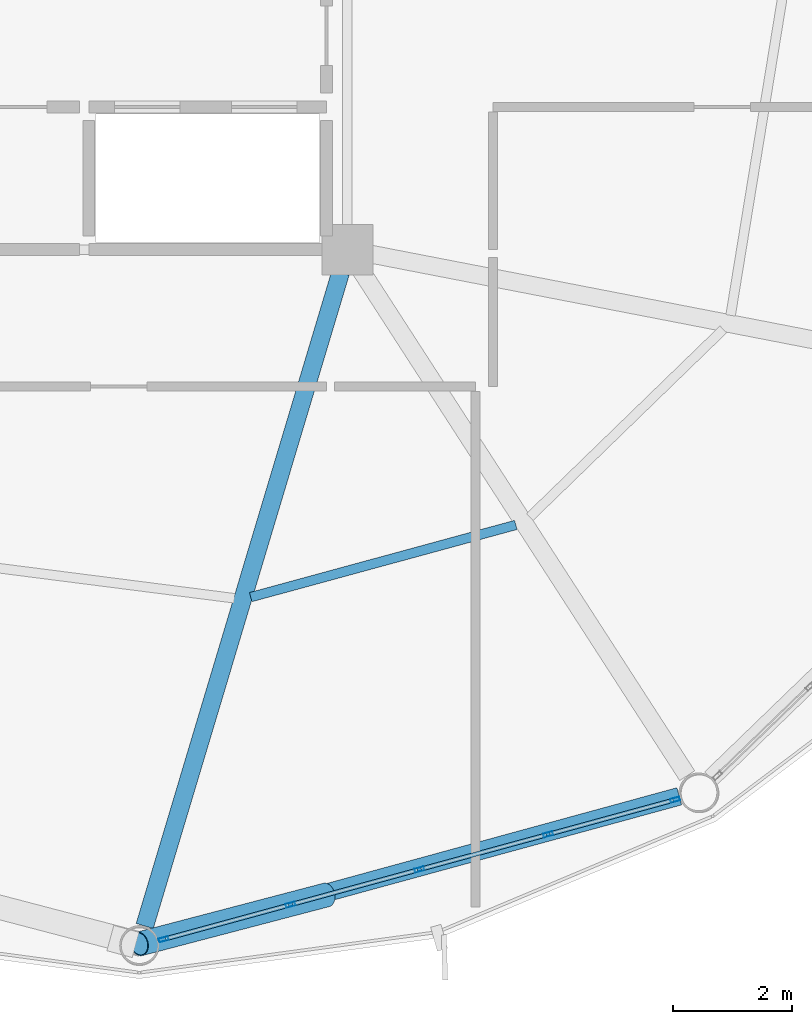
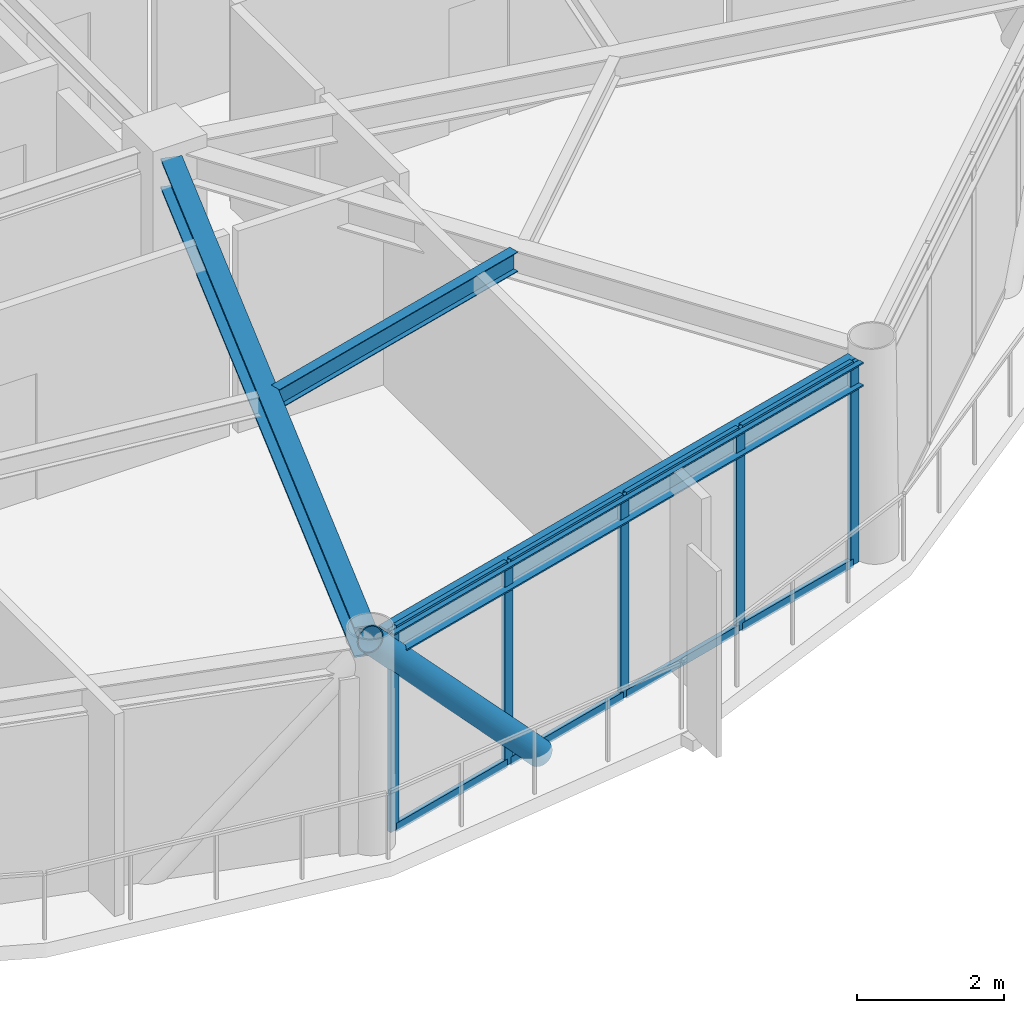
# One storey, part 7 of 26: 14 members, 3 beams, 1 element without a shape of its own.
"""IFC4 building model written with IfcOpenShell, lengths in metres."""

from ifc_helpers import new_model, si_unit, direction, frame, origin, origin_2d, place, context, subcontext, project, spatial, hollow_rectangle, hollow_circle, i_section, extrude, material, layer, layer_set, material_profile, profile_set, type_object, element, aggregate, save


model = new_model("IFC4")

# Units and contexts
model_context = context("Model", 3, precision=1e-05, world=origin(), true_north=direction((0.0, 1.0)))
body_context = subcontext(model_context, "Body", "Model", "MODEL_VIEW")
ifc_project = project(units=[si_unit("LENGTHUNIT", "METRE"), si_unit("AREAUNIT", "SQUARE_METRE"), si_unit("VOLUMEUNIT", "CUBIC_METRE"), si_unit("PLANEANGLEUNIT", "RADIAN"), si_unit("MASSUNIT", "GRAM", prefix="KILO")], contexts=[model_context])

# Site, building, storey
site_placement = place(None, origin())
site = spatial("IfcSite", under=ifc_project, at=site_placement, CompositionType="ELEMENT")
building_placement = place(site_placement, origin())
building = spatial("IfcBuilding", under=site, at=building_placement, Name="Varnakorn Sky Granary", CompositionType="ELEMENT")
storey_placement = place(building_placement, frame((0.0, 0.0, 222.0)))
storey = spatial("IfcBuildingStorey", under=building, at=storey_placement, Name="L56", CompositionType="ELEMENT", Elevation=222.0)

# Beams
ifc_material_1 = material(Name="Steel S355JR", Category="steel")
ifc_material_profile_1 = material_profile(ifc_material_1, i_section(OverallWidth=0.300048828125, OverallDepth=0.5, WebThickness=0.014404296875, FlangeThickness=0.028076171875, at=origin_2d()), Name="HE 500 B")
ifc_profile_set_1 = profile_set([ifc_material_profile_1], Name="Steel S355JR")
beam_type_1 = type_object("IfcBeamType", Name="BM-RAD-Z4", PredefinedType="BEAM", material=ifc_profile_set_1)
beam_1_placement = place(storey_placement, frame((8.233642578125, -6.98779296875, 3.110107421875), z_axis=(-0.287127206293, -0.957892461295, 0.0), x_axis=(0.957892461295, -0.287127206293, 0.0)))
element("IfcBeam", 1, at=beam_1_placement, inside=storey, type_object=beam_type_1, Name="Radial Floor Girder RG10 L56", PredefinedType="BEAM", context=body_context, shape_type="SweptSolid", body=[
    extrude(i_section(OverallWidth=0.300048828125, OverallDepth=0.5, WebThickness=0.014404296875, FlangeThickness=0.028076171875, at=origin_2d()), origin(), (0.0, 0.0, 1.0), 11.469482421875),
])
ifc_material_profile_2 = material_profile(ifc_material_1, i_section(OverallWidth=0.159912109375, OverallDepth=0.330078125, WebThickness=0.007568359375, FlangeThickness=0.011474609375, at=origin_2d()), Name="IPE 330")
ifc_profile_set_2 = profile_set([ifc_material_profile_2], Name="Steel S355JR")
beam_type_2 = type_object("IfcBeamType", Name="BM-SEC-Z4", PredefinedType="BEAM", material=ifc_profile_set_2)
beam_2_placement = place(storey_placement, frame((6.72216796875, -12.4443359375, 3.195068359375), z_axis=(0.964858849447, 0.262768720825, 0.0), x_axis=(-0.262768720825, 0.964858849447, 0.0)))
element("IfcBeam", 2, at=beam_2_placement, inside=storey, type_object=beam_type_2, Name="Secondary Floor Chord Beam MSB10 L56", PredefinedType="BEAM", context=body_context, shape_type="SweptSolid", body=[
    extrude(i_section(OverallWidth=0.159912109375, OverallDepth=0.330078125, WebThickness=0.007568359375, FlangeThickness=0.011474609375, at=origin_2d()), origin(), (0.0, 0.0, 1.0), 4.621337890625),
])
ifc_material_profile_3 = material_profile(ifc_material_1, i_section(OverallWidth=0.300048828125, OverallDepth=0.39990234375, WebThickness=0.013427734375, FlangeThickness=0.02392578125, at=origin_2d()), Name="HE 400 B")
ifc_profile_set_3 = profile_set([ifc_material_profile_3], Name="Steel S355JR")
beam_type_3 = type_object("IfcBeamType", Name="BM-SPD-Z4", PredefinedType="SPANDREL", material=ifc_profile_set_3)
beam_3_placement = place(storey_placement, frame((5.15380859375, -18.19287109375, 3.159912109375), z_axis=(0.964603252537, 0.263705451585, 0.0), x_axis=(-0.263705451585, 0.964603252537, 0.0)))
element("IfcBeam", 3, at=beam_3_placement, inside=storey, type_object=beam_type_3, Name="Perimeter Spandrel Ring Beam RB10 L56", PredefinedType="SPANDREL", context=body_context, shape_type="SweptSolid", body=[
    extrude(i_section(OverallWidth=0.300048828125, OverallDepth=0.39990234375, WebThickness=0.013427734375, FlangeThickness=0.02392578125, at=origin_2d()), origin(), (0.0, 0.0, 1.0), 9.097900390625),
])

# Curtain wall, members
ifc_material_2 = material(Name="Anodised Bronze Aluminium Alloy 6063-T6", Category="aluminium")
ifc_layer = layer(ifc_material_2, 0.169921875, Name="Anodised Bronze Aluminium Alloy 6063-T6")
ifc_layer_set = layer_set([ifc_layer], Name="Anodised Bronze Aluminium Alloy 6063-T6")
curtain_wall_type = type_object("IfcCurtainWallType", Name="CW-LAB-1", PredefinedType="USERDEFINED", material=ifc_layer_set)
curtain_wall_placement = place(storey_placement, origin())
curtain_wall = element("IfcCurtainWall", 4, at=curtain_wall_placement, inside=storey, type_object=curtain_wall_type, Name="Unitised Curtain Wall CW5 CW-L56-B10", ObjectType="CURTAIN WALL", PredefinedType="USERDEFINED")
ifc_material_profile_4 = material_profile(ifc_material_2, hollow_rectangle(XDim=0.06494140625, YDim=0.159912109375, WallThickness=0.00341796875, at=origin_2d()), Name="ALU MULL 65x160")
ifc_profile_set_4 = profile_set([ifc_material_profile_4], Name="Anodised Bronze Aluminium Alloy 6063-T6")
member_type_1 = type_object("IfcMemberType", Name="CW-LAB-1-MULL", PredefinedType="MULLION", material=ifc_profile_set_4)
member_1_placement = place(storey_placement, frame((13.859375, -15.851318359375, 0.0), z_axis=(0.0, 0.0, 1.0), x_axis=(0.263275677014, -0.96472064241, 0.0)))
member_1 = element("IfcMember", 5, at=member_1_placement, type_object=member_type_1, Name="CW5 mullion 1", PredefinedType="MULLION", context=body_context, shape_type="SweptSolid", body=[
    extrude(hollow_rectangle(XDim=0.06494140625, YDim=0.159912109375, WallThickness=0.00341796875, at=origin_2d()), origin(), (0.0, 0.0, 1.0), 3.360107421875),
])
member_2_placement = place(storey_placement, frame((11.724609375, -16.433837890625, 0.0), z_axis=(0.0, 0.0, 1.0), x_axis=(0.263275677014, -0.96472064241, 0.0)))
member_2 = element("IfcMember", 6, at=member_2_placement, type_object=member_type_1, Name="CW5 mullion 2", PredefinedType="MULLION", context=body_context, shape_type="SweptSolid", body=[
    extrude(hollow_rectangle(XDim=0.06494140625, YDim=0.159912109375, WallThickness=0.00341796875, at=origin_2d()), origin(), (0.0, 0.0, 1.0), 3.360107421875),
])
member_3_placement = place(storey_placement, frame((9.55859375, -17.02490234375, 0.0), z_axis=(0.0, 0.0, 1.0), x_axis=(0.263275677014, -0.96472064241, 0.0)))
member_3 = element("IfcMember", 7, at=member_3_placement, type_object=member_type_1, Name="CW5 mullion 3", PredefinedType="MULLION", context=body_context, shape_type="SweptSolid", body=[
    extrude(hollow_rectangle(XDim=0.06494140625, YDim=0.159912109375, WallThickness=0.00341796875, at=origin_2d()), origin(), (0.0, 0.0, 1.0), 3.360107421875),
])
member_4_placement = place(storey_placement, frame((7.392333984375, -17.6162109375, 0.0), z_axis=(0.0, 0.0, 1.0), x_axis=(0.263275677014, -0.96472064241, 0.0)))
member_4 = element("IfcMember", 8, at=member_4_placement, type_object=member_type_1, Name="CW5 mullion 4", PredefinedType="MULLION", context=body_context, shape_type="SweptSolid", body=[
    extrude(hollow_rectangle(XDim=0.06494140625, YDim=0.159912109375, WallThickness=0.00341796875, at=origin_2d()), origin(), (0.0, 0.0, 1.0), 3.360107421875),
])
member_5_placement = place(storey_placement, frame((5.257568359375, -18.19873046875, 0.0), z_axis=(0.0, 0.0, 1.0), x_axis=(0.263275677014, -0.96472064241, 0.0)))
member_5 = element("IfcMember", 9, at=member_5_placement, type_object=member_type_1, Name="CW5 mullion 5", PredefinedType="MULLION", context=body_context, shape_type="SweptSolid", body=[
    extrude(hollow_rectangle(XDim=0.06494140625, YDim=0.159912109375, WallThickness=0.00341796875, at=origin_2d()), origin(), (0.0, 0.0, 1.0), 3.360107421875),
])
ifc_material_profile_5 = material_profile(ifc_material_2, hollow_rectangle(XDim=0.070068359375, YDim=0.139892578125, WallThickness=0.00341796875, at=origin_2d()), Name="ALU TRAN 70x140")
ifc_profile_set_5 = profile_set([ifc_material_profile_5], Name="Anodised Bronze Aluminium Alloy 6063-T6")
member_type_2 = type_object("IfcMemberType", Name="CW-LAB-1-TRAN", PredefinedType="USERDEFINED", material=ifc_profile_set_5)
member_6_placement = place(storey_placement, frame((13.828125, -15.85986328125, 0.034912109375), z_axis=(-0.96472446285, -0.263261677384, 0.0), x_axis=(0.263261677384, -0.96472446285, 0.0)))
member_6 = element("IfcMember", 10, at=member_6_placement, type_object=member_type_2, Name="CW5 transom 1.1", ObjectType="TRANSOM", PredefinedType="USERDEFINED", context=body_context, shape_type="SweptSolid", body=[
    extrude(hollow_rectangle(XDim=0.070068359375, YDim=0.139892578125, WallThickness=0.00341796875, at=origin_2d()), origin(), (0.0, 0.0, 1.0), 2.147705078125),
])
member_7_placement = place(storey_placement, frame((13.828125, -15.85986328125, 3.324951171875), z_axis=(-0.96472446285, -0.263261677384, 0.0), x_axis=(0.263261677384, -0.96472446285, 0.0)))
member_7 = element("IfcMember", 11, at=member_7_placement, type_object=member_type_2, Name="CW5 transom 1.2", ObjectType="TRANSOM", PredefinedType="USERDEFINED", context=body_context, shape_type="SweptSolid", body=[
    extrude(hollow_rectangle(XDim=0.070068359375, YDim=0.139892578125, WallThickness=0.00341796875, at=origin_2d()), origin(), (0.0, 0.0, 1.0), 2.147705078125),
])
member_8_placement = place(storey_placement, frame((11.693359375, -16.4423828125, 0.034912109375), z_axis=(-0.964730222491, -0.263240570227, 0.0), x_axis=(0.263240570227, -0.964730222491, 0.0)))
member_8 = element("IfcMember", 12, at=member_8_placement, type_object=member_type_2, Name="CW5 transom 2.1", ObjectType="TRANSOM", PredefinedType="USERDEFINED", context=body_context, shape_type="SweptSolid", body=[
    extrude(hollow_rectangle(XDim=0.070068359375, YDim=0.139892578125, WallThickness=0.00341796875, at=origin_2d()), origin(), (0.0, 0.0, 1.0), 2.180419921875),
])
member_9_placement = place(storey_placement, frame((11.693359375, -16.4423828125, 3.324951171875), z_axis=(-0.964730222491, -0.263240570227, 0.0), x_axis=(0.263240570227, -0.964730222491, 0.0)))
member_9 = element("IfcMember", 13, at=member_9_placement, type_object=member_type_2, Name="CW5 transom 2.2", ObjectType="TRANSOM", PredefinedType="USERDEFINED", context=body_context, shape_type="SweptSolid", body=[
    extrude(hollow_rectangle(XDim=0.070068359375, YDim=0.139892578125, WallThickness=0.00341796875, at=origin_2d()), origin(), (0.0, 0.0, 1.0), 2.180419921875),
])
member_10_placement = place(storey_placement, frame((9.527099609375, -17.033447265625, 0.034912109375), z_axis=(-0.96470178233, -0.263344776235, 0.0), x_axis=(0.263344776235, -0.96470178233, 0.0)))
member_10 = element("IfcMember", 14, at=member_10_placement, type_object=member_type_2, Name="CW5 transom 3.1", ObjectType="TRANSOM", PredefinedType="USERDEFINED", context=body_context, shape_type="SweptSolid", body=[
    extrude(hollow_rectangle(XDim=0.070068359375, YDim=0.139892578125, WallThickness=0.00341796875, at=origin_2d()), origin(), (0.0, 0.0, 1.0), 2.180419921875),
])
member_11_placement = place(storey_placement, frame((9.527099609375, -17.033447265625, 3.324951171875), z_axis=(-0.96470178233, -0.263344776235, 0.0), x_axis=(0.263344776235, -0.96470178233, 0.0)))
member_11 = element("IfcMember", 15, at=member_11_placement, type_object=member_type_2, Name="CW5 transom 3.2", ObjectType="TRANSOM", PredefinedType="USERDEFINED", context=body_context, shape_type="SweptSolid", body=[
    extrude(hollow_rectangle(XDim=0.070068359375, YDim=0.139892578125, WallThickness=0.00341796875, at=origin_2d()), origin(), (0.0, 0.0, 1.0), 2.180419921875),
])
member_12_placement = place(storey_placement, frame((7.361083984375, -17.624755859375, 0.034912109375), z_axis=(-0.964732339706, -0.263232810881, 0.0), x_axis=(0.263232810881, -0.964732339706, 0.0)))
member_12 = element("IfcMember", 16, at=member_12_placement, type_object=member_type_2, Name="CW5 transom 4.1", ObjectType="TRANSOM", PredefinedType="USERDEFINED", context=body_context, shape_type="SweptSolid", body=[
    extrude(hollow_rectangle(XDim=0.070068359375, YDim=0.139892578125, WallThickness=0.00341796875, at=origin_2d()), origin(), (0.0, 0.0, 1.0), 2.14794921875),
])
member_13_placement = place(storey_placement, frame((7.361083984375, -17.624755859375, 3.324951171875), z_axis=(-0.964732339706, -0.263232810881, 0.0), x_axis=(0.263232810881, -0.964732339706, 0.0)))
member_13 = element("IfcMember", 17, at=member_13_placement, type_object=member_type_2, Name="CW5 transom 4.2", ObjectType="TRANSOM", PredefinedType="USERDEFINED", context=body_context, shape_type="SweptSolid", body=[
    extrude(hollow_rectangle(XDim=0.070068359375, YDim=0.139892578125, WallThickness=0.00341796875, at=origin_2d()), origin(), (0.0, 0.0, 1.0), 2.14794921875),
])
aggregate(curtain_wall, [member_1, member_2, member_3, member_4, member_5, member_6, member_7, member_8, member_9, member_10, member_11, member_12, member_13])

# Member
ifc_material_3 = material(Name="Steel S460M", Category="steel")
ifc_material_profile_6 = material_profile(ifc_material_3, hollow_circle(Radius=0.203125, WallThickness=0.01611328125, at=origin_2d()), Name="CHS 406.4x16")
ifc_profile_set_6 = profile_set([ifc_material_profile_6], Name="Steel S460M")
member_type_3 = type_object("IfcMemberType", Name="MB-DIAG-T4", PredefinedType="BRACE", material=ifc_profile_set_6)
member_14_placement = place(storey_placement, frame((7.989013671875, -17.453369140625, -0.1298828125), z_axis=(-0.658684379034, -0.172599181221, 0.732355386038), x_axis=(0.25347841439, -0.967341042983, 0.0)))
element("IfcMember", 18, at=member_14_placement, inside=storey, type_object=member_type_3, Name="Perimeter CHS Diagrid Brace DG10 L56", PredefinedType="BRACE", context=body_context, shape_type="SweptSolid", body=[
    extrude(hollow_circle(Radius=0.203125, WallThickness=0.01611328125, at=origin_2d()), origin(), (0.0, 0.0, 1.0), 4.765380859375),
])

save(model, "model.ifc")
